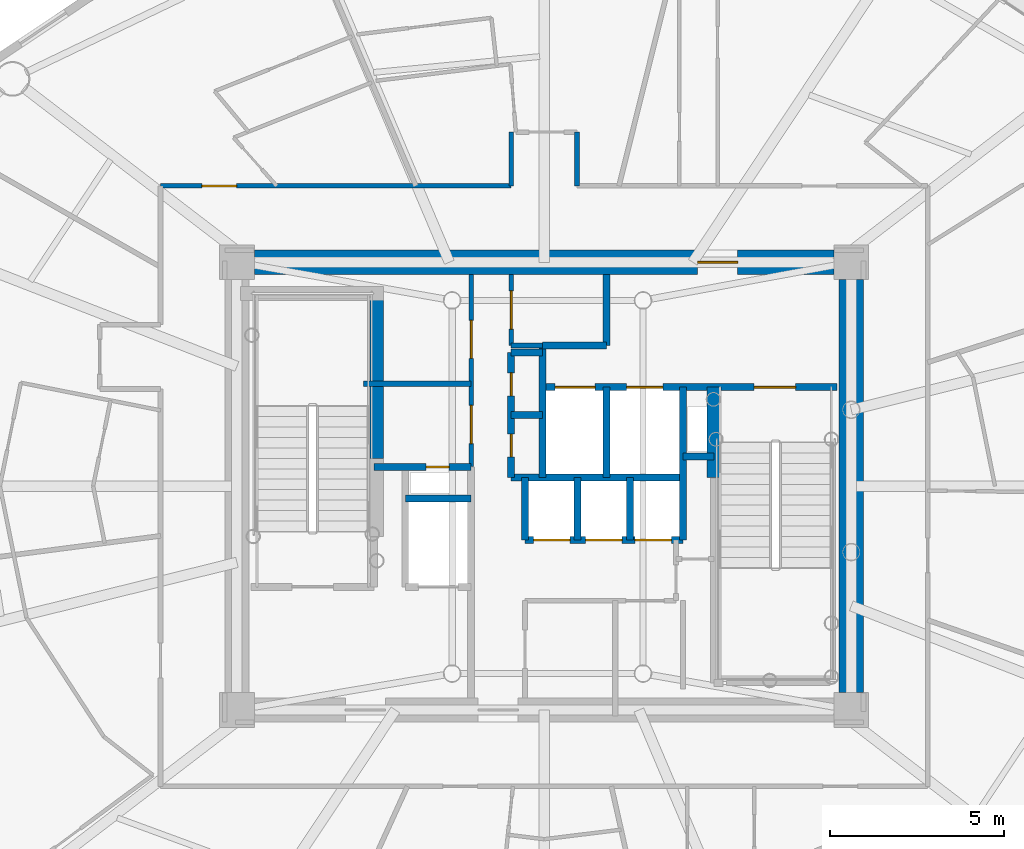
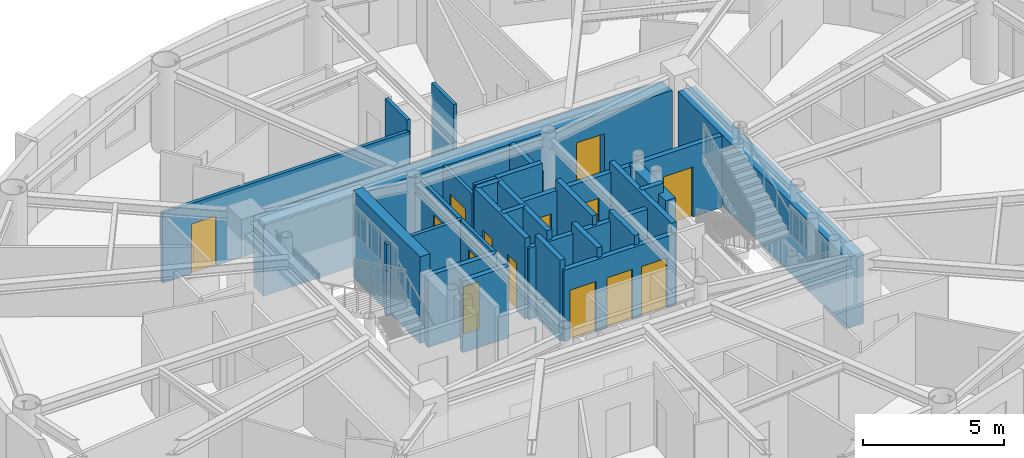
# One storey, part 7 of 17: 28 walls, 14 doors, 14 openings.
"""IFC4 building model written with IfcOpenShell, lengths in metres."""

from ifc_helpers import new_model, si_unit, direction, frame, frame_2d, origin, origin_2d, place, context, subcontext, project, spatial, rectangle, extrude, source, transform, mapped, material, layer, layer_set, type_object, element, fill, save


model = new_model("IFC4")

# Units and contexts
model_context = context("Model", 3, precision=1e-05, world=origin(), true_north=direction((0.0, 1.0)))
body_context = subcontext(model_context, "Body", "Model", "MODEL_VIEW")
ifc_project = project(units=[si_unit("LENGTHUNIT", "METRE"), si_unit("AREAUNIT", "SQUARE_METRE"), si_unit("VOLUMEUNIT", "CUBIC_METRE"), si_unit("PLANEANGLEUNIT", "RADIAN"), si_unit("MASSUNIT", "GRAM", prefix="KILO")], contexts=[model_context])

# Site, building, storey
site_placement = place(None, origin())
site = spatial("IfcSite", under=ifc_project, at=site_placement, CompositionType="ELEMENT")
building_placement = place(site_placement, origin())
building = spatial("IfcBuilding", under=site, at=building_placement, Name="Linh Dai School and Residence Tower", CompositionType="ELEMENT")
storey_placement = place(building_placement, frame((0.0, 0.0, 303.0)))
storey = spatial("IfcBuildingStorey", under=building, at=storey_placement, Name="L75", CompositionType="ELEMENT", Elevation=303.0)

# Wall, opening, door
ifc_material_1 = material(Name="Autoclaved Aerated Concrete Blockwork", Category="masonry")
ifc_layer_1 = layer(ifc_material_1, 0.135009765625)
ifc_layer_set_1 = layer_set([ifc_layer_1], Name="Autoclaved Aerated Concrete Blockwork")
wall_type_1 = type_object("IfcWallType", Name="IW-CORR-135-EI90", PredefinedType="PARTITIONING", material=ifc_layer_set_1)
wall_1_placement = place(storey_placement, frame((24.949951171875, 35.64990234375, 0.0), z_axis=(0.0, 0.0, 1.0), x_axis=(1.0, 0.0, 0.0)))
wall_1 = element("IfcWall", 1, at=wall_1_placement, inside=storey, type_object=wall_type_1, Name="L75 Interior Partition Wall 019", PredefinedType="PARTITIONING", context=body_context, shape_type="SweptSolid", body=[
    extrude(rectangle(XDim=10.10009765625, YDim=0.135009765625, at=frame_2d((5.050048828125, 0.0))), origin(), (0.0, 0.0, 1.0), 3.034912109375),
])
opening_1_placement = place(wall_1_placement, frame((1.192138671875, 0.0, 0.0)))
opening_1 = element("IfcOpeningElement", 2, at=opening_1_placement, cuts=wall_1, Name="Opening D03", PredefinedType="OPENING", context=body_context, shape_type="SweptSolid", body=[
    extrude(rectangle(XDim=1.0, YDim=2.14990234375, at=origin_2d()), frame((0.5, 0.07763671875, 1.074951171875), z_axis=(0.0, -1.0, 0.0), x_axis=(1.0, 0.0, 0.0)), (0.0, 0.0, 1.0), 0.155029296875),
])
ifc_material_2 = material(Name="Fire-Rated Solid Timber Entrance Door", Category="wood")
door_type_1 = type_object("IfcDoorType", Name="DR-FLAT-1000x2150-FD60S", OperationType="NOTDEFINED", PredefinedType="DOOR", material=ifc_material_2)
shared_shape_1 = source(origin(), body_context, "Body", "SweptSolid", [
    extrude(rectangle(XDim=1.0, YDim=2.14990234375, at=origin_2d()), frame((0.5, 0.02490234375, 1.074951171875), z_axis=(0.0, -1.0, 0.0), x_axis=(1.0, 0.0, 0.0)), (0.0, 0.0, 1.0), 0.050048828125),
])
door_1_placement = place(opening_1_placement, origin())
door_1 = element("IfcDoor", 3, at=door_1_placement, inside=storey, type_object=door_type_1, Name="L75 U7502 Apartment Entrance Door", OperationType="SINGLE_SWING_RIGHT", OverallHeight=2.14990234375, OverallWidth=1.0, PredefinedType="DOOR", context=body_context, shape_type="MappedRepresentation", body=[
    mapped(shared_shape_1, transform((0.0, 0.0, 0.0), x_axis=(1.0, 0.0, 0.0), y_axis=(0.0, 1.0, 0.0), z_axis=(0.0, 0.0, 1.0), scale=1.0)),
])
fill(opening_1, door_1)

# Wall, openings, doors
wall_2_placement = place(storey_placement, frame((33.89990234375, 27.56005859375, 0.0), z_axis=(0.0, 0.0, 1.0), x_axis=(0.0, 1.0, 0.0)))
wall_2 = element("IfcWall", 4, at=wall_2_placement, inside=storey, type_object=wall_type_1, Name="L75 Interior Partition Wall 036", PredefinedType="PARTITIONING", context=body_context, shape_type="SweptSolid", body=[
    extrude(rectangle(XDim=5.5400390625, YDim=0.135009765625, at=frame_2d((2.77001953125, 0.0))), origin(), (0.0, 0.0, 1.0), 3.0849609375),
])
opening_2_placement = place(wall_2_placement, frame((0.6650390625, 0.0, 0.0)))
opening_2 = element("IfcOpeningElement", 5, at=opening_2_placement, cuts=wall_2, Name="Opening D07", PredefinedType="OPENING", context=body_context, shape_type="SweptSolid", body=[
    extrude(rectangle(XDim=1.10009765625, YDim=2.14990234375, at=origin_2d()), frame((0.550048828125, 0.07763671875, 1.074951171875), z_axis=(0.0, -1.0, 0.0), x_axis=(1.0, 0.0, 0.0)), (0.0, 0.0, 1.0), 0.155029296875),
])
opening_3_placement = place(wall_2_placement, frame((3.117431640625, 0.0, 0.0)))
opening_3 = element("IfcOpeningElement", 6, at=opening_3_placement, cuts=wall_2, Name="Opening D07", PredefinedType="OPENING", context=body_context, shape_type="SweptSolid", body=[
    extrude(rectangle(XDim=1.10009765625, YDim=2.14990234375, at=origin_2d()), frame((0.550048828125, 0.07763671875, 1.074951171875), z_axis=(0.0, -1.0, 0.0), x_axis=(1.0, 0.0, 0.0)), (0.0, 0.0, 1.0), 0.155029296875),
])
ifc_material_3 = material(Name="Fire-Rated Louvred Steel Plant Door", Category="steel")
door_type_2 = type_object("IfcDoorType", Name="DR-PLT-1100x2150-FD60S", OperationType="NOTDEFINED", PredefinedType="DOOR", material=ifc_material_3)
shared_shape_2 = source(origin(), body_context, "Body", "SweptSolid", [
    extrude(rectangle(XDim=1.10009765625, YDim=2.14990234375, at=origin_2d()), frame((0.550048828125, 0.02490234375, 1.074951171875), z_axis=(0.0, -1.0, 0.0), x_axis=(1.0, 0.0, 0.0)), (0.0, 0.0, 1.0), 0.050048828125),
])
door_2_placement = place(opening_2_placement, origin())
door_2 = element("IfcDoor", 7, at=door_2_placement, inside=storey, type_object=door_type_2, Name="L75 BMS and Data Room Door", OperationType="SINGLE_SWING_LEFT", OverallHeight=2.14990234375, OverallWidth=1.10009765625, PredefinedType="DOOR", context=body_context, shape_type="MappedRepresentation", body=[
    mapped(shared_shape_2, transform((0.0, 0.0, 0.0), x_axis=(1.0, 0.0, 0.0), y_axis=(0.0, 1.0, 0.0), z_axis=(0.0, 0.0, 1.0), scale=1.0)),
])
fill(opening_2, door_2)
door_3_placement = place(opening_3_placement, origin())
door_3 = element("IfcDoor", 8, at=door_3_placement, inside=storey, type_object=door_type_2, Name="L75 Housekeeping Linen Room Door", OperationType="SINGLE_SWING_RIGHT", OverallHeight=2.14990234375, OverallWidth=1.10009765625, PredefinedType="DOOR", context=body_context, shape_type="MappedRepresentation", body=[
    mapped(shared_shape_2, transform((0.0, 0.0, 0.0), x_axis=(1.0, 0.0, 0.0), y_axis=(0.0, 1.0, 0.0), z_axis=(0.0, 0.0, 1.0), scale=1.0)),
])
fill(opening_3, door_3)

# Wall, opening, door
wall_3_placement = place(storey_placement, frame((35.050048828125, 31.050048828125, 0.0), z_axis=(0.0, 0.0, 1.0), x_axis=(0.0, 1.0, 0.0)))
wall_3 = element("IfcWall", 9, at=wall_3_placement, inside=storey, type_object=wall_type_1, Name="L75 Interior Partition Wall 046", PredefinedType="PARTITIONING", context=body_context, shape_type="SweptSolid", body=[
    extrude(rectangle(XDim=2.050048828125, YDim=0.135009765625, at=frame_2d((1.02490234375, 0.0))), origin(), (0.0, 0.0, 1.0), 3.0849609375),
])
opening_4_placement = place(wall_3_placement, frame((0.47509765625, 0.0, 0.0)))
opening_4 = element("IfcOpeningElement", 10, at=opening_4_placement, cuts=wall_3, Name="Opening D07", PredefinedType="OPENING", context=body_context, shape_type="SweptSolid", body=[
    extrude(rectangle(XDim=1.10009765625, YDim=2.14990234375, at=origin_2d()), frame((0.550048828125, 0.07763671875, 1.074951171875), z_axis=(0.0, -1.0, 0.0), x_axis=(1.0, 0.0, 0.0)), (0.0, 0.0, 1.0), 0.155029296875),
])
door_4_placement = place(opening_4_placement, origin())
door_4 = element("IfcDoor", 11, at=door_4_placement, inside=storey, type_object=door_type_2, Name="L75 North Telecom Switchroom Door", OperationType="SINGLE_SWING_LEFT", OverallHeight=2.14990234375, OverallWidth=1.10009765625, PredefinedType="DOOR", context=body_context, shape_type="MappedRepresentation", body=[
    mapped(shared_shape_2, transform((0.0, 0.0, 0.0), x_axis=(1.0, 0.0, 0.0), y_axis=(0.0, 1.0, 0.0), z_axis=(0.0, 0.0, 1.0), scale=1.0)),
])
fill(opening_4, door_4)

# Walls
wall_4_placement = place(storey_placement, frame((35.050048828125, 31.050048828125, 0.0), z_axis=(0.0, 0.0, 1.0), x_axis=(1.0, 0.0, 0.0)))
element("IfcWall", 12, at=wall_4_placement, inside=storey, type_object=wall_type_1, Name="L75 Interior Partition Wall 047", PredefinedType="PARTITIONING", context=body_context, shape_type="SweptSolid", body=[
    extrude(rectangle(XDim=0.89990234375, YDim=0.135009765625, at=frame_2d((0.449951171875, 0.0))), origin(), (0.0, 0.0, 1.0), 3.5),
])
for number, where, z_axis, x_axis, name in (
    (13, (35.050048828125, 35.64990234375, 0.0), (0.0, 0.0, 1.0), (0.0, 1.0, 0.0), "L75 Interior Partition Wall 048"),
    (14, (36.949951171875, 35.64990234375, 0.0), (0.0, 0.0, 1.0), (0.0, 1.0, 0.0), "L75 Interior Partition Wall 059"),
):
    element("IfcWall", number, at=place(storey_placement, frame(where, z_axis=z_axis, x_axis=x_axis)), inside=storey, type_object=wall_type_1, Name=name, PredefinedType="PARTITIONING", context=body_context, shape_type="SweptSolid", body=[
        extrude(rectangle(XDim=1.550048828125, YDim=0.135009765625, at=frame_2d((0.77490234375, 0.0))), origin(), (0.0, 0.0, 1.0), 3.5),
    ])
ifc_layer_2 = layer(ifc_material_1, 0.14990234375)
ifc_layer_set_2 = layer_set([ifc_layer_2], Name="Autoclaved Aerated Concrete Blockwork")
wall_type_2 = type_object("IfcWallType", Name="IW-SCH-150-EI60", PredefinedType="PARTITIONING", material=ifc_layer_set_2)
wall_5_placement = place(storey_placement, frame((30.800048828125, 29.949951171875, 0.0), z_axis=(0.0, 0.0, 1.0), x_axis=(1.0, 0.0, 0.0)))
element("IfcWall", 15, at=wall_5_placement, inside=storey, type_object=wall_type_2, Name="L75 Interior Partition Wall 028", PredefinedType="PARTITIONING", context=body_context, shape_type="SweptSolid", body=[
    extrude(rectangle(XDim=3.099853515625, YDim=0.14990234375, at=frame_2d((1.5498046875, 0.0))), origin(), (0.0, 0.0, 1.0), 3.0849609375),
])

# Wall, opening, door
ifc_material_4 = material(Name="Concrete B45 (C35/45)", Category="concrete")
ifc_layer_3 = layer(ifc_material_4, 0.199951171875)
ifc_layer_set_3 = layer_set([ifc_layer_3], Name="Concrete B45 (C35/45)")
wall_type_3 = type_object("IfcWallType", Name="IW-SHAFT-200-EI120", PredefinedType="PARTITIONING", material=ifc_layer_set_3)
wall_6_placement = place(storey_placement, frame((31.10009765625, 27.550048828125, 0.0), z_axis=(0.0, 0.0, 1.0), x_axis=(1.0, 0.0, 0.0)))
wall_6 = element("IfcWall", 16, at=wall_6_placement, inside=storey, type_object=wall_type_3, Name="L75 Interior Partition Wall 030", PredefinedType="PARTITIONING", context=body_context, shape_type="SweptSolid", body=[
    extrude(rectangle(XDim=2.7998046875, YDim=0.199951171875, at=frame_2d((1.39990234375, 0.0))), origin(), (0.0, 0.0, 1.0), 3.0849609375),
])
opening_5_placement = place(wall_6_placement, frame((1.5, 0.0, 0.0)))
opening_5 = element("IfcOpeningElement", 17, at=opening_5_placement, cuts=wall_6, Name="Opening AD1", PredefinedType="OPENING", context=body_context, shape_type="SweptSolid", body=[
    extrude(rectangle(XDim=0.659912109375, YDim=2.050048828125, at=origin_2d()), frame((0.330078125, 0.10986328125, 1.02490234375), z_axis=(0.0, -1.0, 0.0), x_axis=(1.0, 0.0, 0.0)), (0.0, 0.0, 1.0), 0.219970703125),
])
ifc_material_5 = material(Name="Fire-Rated Steel Riser Access Door", Category="steel")
door_type_3 = type_object("IfcDoorType", Name="DR-ACC-660x2050-FD90S", OperationType="NOTDEFINED", PredefinedType="USERDEFINED", material=ifc_material_5)
shared_shape_3 = source(origin(), body_context, "Body", "SweptSolid", [
    extrude(rectangle(XDim=0.659912109375, YDim=2.050048828125, at=origin_2d()), frame((0.330078125, 0.02490234375, 1.02490234375), z_axis=(0.0, -1.0, 0.0), x_axis=(1.0, 0.0, 0.0)), (0.0, 0.0, 1.0), 0.050048828125),
])
door_5_placement = place(opening_5_placement, origin())
door_5 = element("IfcDoor", 18, at=door_5_placement, inside=storey, type_object=door_type_3, Name="L75 Main Electrical Riser Access Door", ObjectType="ACCESS DOOR", OperationType="SINGLE_SWING_RIGHT", OverallHeight=2.050048828125, OverallWidth=0.659912109375, PredefinedType="USERDEFINED", context=body_context, shape_type="MappedRepresentation", body=[
    mapped(shared_shape_3, transform((0.0, 0.0, 0.0), x_axis=(1.0, 0.0, 0.0), y_axis=(0.0, 1.0, 0.0), z_axis=(0.0, 0.0, 1.0), scale=1.0)),
])
fill(opening_5, door_5)

# Wall
wall_7_placement = place(storey_placement, frame((32.0, 26.64990234375, 0.0), z_axis=(0.0, 0.0, 1.0), x_axis=(1.0, 0.0, 0.0)))
element("IfcWall", 19, at=wall_7_placement, inside=storey, type_object=wall_type_3, Name="L75 Interior Partition Wall 034", PredefinedType="PARTITIONING", context=body_context, shape_type="SweptSolid", body=[
    extrude(rectangle(XDim=1.89990234375, YDim=0.199951171875, at=frame_2d((0.949951171875, 0.0))), origin(), (0.0, 0.0, 1.0), 3.0849609375),
])

# Wall, openings, doors
wall_8_placement = place(storey_placement, frame((35.050048828125, 27.25, 0.0), z_axis=(0.0, 0.0, 1.0), x_axis=(0.0, 1.0, 0.0)))
wall_8 = element("IfcWall", 20, at=wall_8_placement, inside=storey, type_object=wall_type_3, Name="L75 Interior Partition Wall 042", PredefinedType="PARTITIONING", context=body_context, shape_type="SweptSolid", body=[
    extrude(rectangle(XDim=3.60009765625, YDim=0.199951171875, at=frame_2d((1.800048828125, 0.0))), origin(), (0.0, 0.0, 1.0), 3.5),
])
opening_6_placement = place(wall_8_placement, frame((0.590087890625, 0.0, 0.0)))
opening_6 = element("IfcOpeningElement", 21, at=opening_6_placement, cuts=wall_8, Name="Opening AD1", PredefinedType="OPENING", context=body_context, shape_type="SweptSolid", body=[
    extrude(rectangle(XDim=0.659912109375, YDim=2.050048828125, at=origin_2d()), frame((0.330078125, 0.10986328125, 1.02490234375), z_axis=(0.0, -1.0, 0.0), x_axis=(1.0, 0.0, 0.0)), (0.0, 0.0, 1.0), 0.219970703125),
])
opening_7_placement = place(wall_8_placement, frame((2.35009765625, 0.0, 0.0)))
opening_7 = element("IfcOpeningElement", 22, at=opening_7_placement, cuts=wall_8, Name="Opening AD1", PredefinedType="OPENING", context=body_context, shape_type="SweptSolid", body=[
    extrude(rectangle(XDim=0.659912109375, YDim=2.050048828125, at=origin_2d()), frame((0.330078125, 0.10986328125, 1.02490234375), z_axis=(0.0, -1.0, 0.0), x_axis=(1.0, 0.0, 0.0)), (0.0, 0.0, 1.0), 0.219970703125),
])
door_6_placement = place(opening_6_placement, origin())
door_6 = element("IfcDoor", 23, at=door_6_placement, inside=storey, type_object=door_type_3, Name="L75 Telecom and Data Riser Access Door", ObjectType="ACCESS DOOR", OperationType="SINGLE_SWING_LEFT", OverallHeight=2.050048828125, OverallWidth=0.659912109375, PredefinedType="USERDEFINED", context=body_context, shape_type="MappedRepresentation", body=[
    mapped(shared_shape_3, transform((0.0, 0.0, 0.0), x_axis=(1.0, 0.0, 0.0), y_axis=(0.0, 1.0, 0.0), z_axis=(0.0, 0.0, 1.0), scale=1.0)),
])
fill(opening_6, door_6)
door_7_placement = place(opening_7_placement, origin())
door_7 = element("IfcDoor", 24, at=door_7_placement, inside=storey, type_object=door_type_3, Name="L75 Mechanical and Plumbing Riser Access Door", ObjectType="ACCESS DOOR", OperationType="SINGLE_SWING_RIGHT", OverallHeight=2.050048828125, OverallWidth=0.659912109375, PredefinedType="USERDEFINED", context=body_context, shape_type="MappedRepresentation", body=[
    mapped(shared_shape_3, transform((0.0, 0.0, 0.0), x_axis=(1.0, 0.0, 0.0), y_axis=(0.0, 1.0, 0.0), z_axis=(0.0, 0.0, 1.0), scale=1.0)),
])
fill(opening_7, door_7)

# Walls
wall_9_placement = place(storey_placement, frame((35.050048828125, 27.25, 0.0), z_axis=(0.0, 0.0, 1.0), x_axis=(1.0, 0.0, 0.0)))
element("IfcWall", 25, at=wall_9_placement, inside=storey, type_object=wall_type_3, Name="L75 Interior Partition Wall 043", PredefinedType="PARTITIONING", context=body_context, shape_type="SweptSolid", body=[
    extrude(rectangle(XDim=4.949951171875, YDim=0.199951171875, at=frame_2d((2.47509765625, 0.0))), origin(), (0.0, 0.0, 1.0), 3.0849609375),
])
for number, where, z_axis, x_axis, name in (
    (26, (35.050048828125, 29.050048828125, 0.0), (0.0, 0.0, 1.0), (1.0, 0.0, 0.0), "L75 Interior Partition Wall 044"),
    (27, (35.050048828125, 30.85009765625, 0.0), (0.0, 0.0, 1.0), (1.0, 0.0, 0.0), "L75 Interior Partition Wall 045"),
):
    element("IfcWall", number, at=place(storey_placement, frame(where, z_axis=z_axis, x_axis=x_axis)), inside=storey, type_object=wall_type_3, Name=name, PredefinedType="PARTITIONING", context=body_context, shape_type="SweptSolid", body=[
        extrude(rectangle(XDim=0.89990234375, YDim=0.199951171875, at=frame_2d((0.449951171875, 0.0))), origin(), (0.0, 0.0, 1.0), 3.5),
    ])
wall_10_placement = place(storey_placement, frame((35.449951171875, 25.449951171875, 0.0), z_axis=(0.0, 0.0, 1.0), x_axis=(0.0, 1.0, 0.0)))
element("IfcWall", 28, at=wall_10_placement, inside=storey, type_object=wall_type_3, Name="L75 Interior Partition Wall 052", PredefinedType="PARTITIONING", context=body_context, shape_type="SweptSolid", body=[
    extrude(rectangle(XDim=1.800048828125, YDim=0.199951171875, at=frame_2d((0.89990234375, 0.0))), origin(), (0.0, 0.0, 1.0), 3.5),
])

# Wall, openings, doors
wall_11_placement = place(storey_placement, frame((35.449951171875, 25.449951171875, 0.0), z_axis=(0.0, 0.0, 1.0), x_axis=(1.0, 0.0, 0.0)))
wall_11 = element("IfcWall", 29, at=wall_11_placement, inside=storey, type_object=wall_type_3, Name="L75 Interior Partition Wall 053", PredefinedType="PARTITIONING", context=body_context, shape_type="SweptSolid", body=[
    extrude(rectangle(XDim=4.550048828125, YDim=0.199951171875, at=frame_2d((2.27490234375, 0.0))), origin(), (0.0, 0.0, 1.0), 3.0849609375),
])
opening_8_placement = place(wall_11_placement, frame((0.25, 0.0, 0.0)))
opening_8 = element("IfcOpeningElement", 30, at=opening_8_placement, cuts=wall_11, Name="Opening LD-PL7", PredefinedType="OPENING", context=body_context, shape_type="SweptSolid", body=[
    extrude(rectangle(XDim=1.050048828125, YDim=2.14990234375, at=origin_2d()), frame((0.52490234375, 0.10986328125, 1.074951171875), z_axis=(0.0, -1.0, 0.0), x_axis=(1.0, 0.0, 0.0)), (0.0, 0.0, 1.0), 0.219970703125),
])
opening_9_placement = place(wall_11_placement, frame((1.7451171875, 0.0, 0.0)))
opening_9 = element("IfcOpeningElement", 31, at=opening_9_placement, cuts=wall_11, Name="Opening LD-PL8", PredefinedType="OPENING", context=body_context, shape_type="SweptSolid", body=[
    extrude(rectangle(XDim=1.050048828125, YDim=2.14990234375, at=origin_2d()), frame((0.52490234375, 0.10986328125, 1.074951171875), z_axis=(0.0, -1.0, 0.0), x_axis=(1.0, 0.0, 0.0)), (0.0, 0.0, 1.0), 0.219970703125),
])
opening_10_placement = place(wall_11_placement, frame((3.1650390625, 0.0, 0.0)))
opening_10 = element("IfcOpeningElement", 32, at=opening_10_placement, cuts=wall_11, Name="Opening LD-PL9", PredefinedType="OPENING", context=body_context, shape_type="SweptSolid", body=[
    extrude(rectangle(XDim=1.050048828125, YDim=2.14990234375, at=origin_2d()), frame((0.52490234375, 0.10986328125, 1.074951171875), z_axis=(0.0, -1.0, 0.0), x_axis=(1.0, 0.0, 0.0)), (0.0, 0.0, 1.0), 0.219970703125),
])
ifc_material_6 = material(Name="Brushed Stainless Steel Lift Landing Door", Category="steel")
door_type_4 = type_object("IfcDoorType", Name="DR-LD-PASS-1050x2150", OperationType="DOUBLE_DOOR_SLIDING", PredefinedType="USERDEFINED", material=ifc_material_6)
shared_shape_4 = source(origin(), body_context, "Body", "SweptSolid", [
    extrude(rectangle(XDim=1.050048828125, YDim=2.14990234375, at=origin_2d()), frame((0.52490234375, 0.02490234375, 1.074951171875), z_axis=(0.0, -1.0, 0.0), x_axis=(1.0, 0.0, 0.0)), (0.0, 0.0, 1.0), 0.050048828125),
])
door_8_placement = place(opening_8_placement, origin())
door_8 = element("IfcDoor", 33, at=door_8_placement, inside=storey, type_object=door_type_4, Name="L75 Lift PL7 Sliding Landing Door", ObjectType="LANDING DOOR", OperationType="DOUBLE_DOOR_SLIDING", OverallHeight=2.14990234375, OverallWidth=1.050048828125, PredefinedType="USERDEFINED", context=body_context, shape_type="MappedRepresentation", body=[
    mapped(shared_shape_4, transform((0.0, 0.0, 0.0), x_axis=(1.0, 0.0, 0.0), y_axis=(0.0, 1.0, 0.0), z_axis=(0.0, 0.0, 1.0), scale=1.0)),
])
fill(opening_8, door_8)
door_9_placement = place(opening_9_placement, origin())
door_9 = element("IfcDoor", 34, at=door_9_placement, inside=storey, type_object=door_type_4, Name="L75 Lift PL8 Sliding Landing Door", ObjectType="LANDING DOOR", OperationType="DOUBLE_DOOR_SLIDING", OverallHeight=2.14990234375, OverallWidth=1.050048828125, PredefinedType="USERDEFINED", context=body_context, shape_type="MappedRepresentation", body=[
    mapped(shared_shape_4, transform((0.0, 0.0, 0.0), x_axis=(1.0, 0.0, 0.0), y_axis=(0.0, 1.0, 0.0), z_axis=(0.0, 0.0, 1.0), scale=1.0)),
])
fill(opening_9, door_9)
door_10_placement = place(opening_10_placement, origin())
door_10 = element("IfcDoor", 35, at=door_10_placement, inside=storey, type_object=door_type_4, Name="L75 Lift PL9 Sliding Landing Door", ObjectType="LANDING DOOR", OperationType="DOUBLE_DOOR_SLIDING", OverallHeight=2.14990234375, OverallWidth=1.050048828125, PredefinedType="USERDEFINED", context=body_context, shape_type="MappedRepresentation", body=[
    mapped(shared_shape_4, transform((0.0, 0.0, 0.0), x_axis=(1.0, 0.0, 0.0), y_axis=(0.0, 1.0, 0.0), z_axis=(0.0, 0.0, 1.0), scale=1.0)),
])
fill(opening_10, door_10)

# Wall
wall_12_placement = place(storey_placement, frame((35.949951171875, 27.25, 0.0), z_axis=(0.0, 0.0, 1.0), x_axis=(0.0, 1.0, 0.0)))
element("IfcWall", 36, at=wall_12_placement, inside=storey, type_object=wall_type_3, Name="L75 Interior Partition Wall 054", PredefinedType="PARTITIONING", context=body_context, shape_type="SweptSolid", body=[
    extrude(rectangle(XDim=3.800048828125, YDim=0.199951171875, at=frame_2d((1.89990234375, 0.0))), origin(), (0.0, 0.0, 1.0), 3.5),
])

# Wall, openings, doors
wall_13_placement = place(storey_placement, frame((35.949951171875, 29.85009765625, 0.0), z_axis=(0.0, 0.0, 1.0), x_axis=(1.0, 0.0, 0.0)))
wall_13 = element("IfcWall", 37, at=wall_13_placement, inside=storey, type_object=wall_type_3, Name="L75 Interior Partition Wall 055", PredefinedType="PARTITIONING", context=body_context, shape_type="SweptSolid", body=[
    extrude(rectangle(XDim=8.489990234375, YDim=0.199951171875, at=frame_2d((4.2451171875, 0.0))), origin(), (0.0, 0.0, 1.0), 3.0849609375),
])
opening_11_placement = place(wall_13_placement, frame((6.10009765625, 0.0, 0.0)))
opening_11 = element("IfcOpeningElement", 38, at=opening_11_placement, cuts=wall_13, Name="Opening D01", PredefinedType="OPENING", context=body_context, shape_type="SweptSolid", body=[
    extrude(rectangle(XDim=1.199951171875, YDim=2.14990234375, at=origin_2d()), frame((0.60009765625, 0.10986328125, 1.074951171875), z_axis=(0.0, -1.0, 0.0), x_axis=(1.0, 0.0, 0.0)), (0.0, 0.0, 1.0), 0.219970703125),
])
opening_12_placement = place(wall_13_placement, frame((0.3701171875, 0.0, 0.0)))
opening_12 = element("IfcOpeningElement", 39, at=opening_12_placement, cuts=wall_13, Name="Opening LD-FF1", PredefinedType="OPENING", context=body_context, shape_type="SweptSolid", body=[
    extrude(rectangle(XDim=1.14990234375, YDim=2.14990234375, at=origin_2d()), frame((0.574951171875, 0.10986328125, 1.074951171875), z_axis=(0.0, -1.0, 0.0), x_axis=(1.0, 0.0, 0.0)), (0.0, 0.0, 1.0), 0.219970703125),
])
opening_13_placement = place(wall_13_placement, frame((2.425048828125, 0.0, 0.0)))
opening_13 = element("IfcOpeningElement", 40, at=opening_13_placement, cuts=wall_13, Name="Opening LD-SV1", PredefinedType="OPENING", context=body_context, shape_type="SweptSolid", body=[
    extrude(rectangle(XDim=1.050048828125, YDim=2.14990234375, at=origin_2d()), frame((0.52490234375, 0.10986328125, 1.074951171875), z_axis=(0.0, -1.0, 0.0), x_axis=(1.0, 0.0, 0.0)), (0.0, 0.0, 1.0), 0.219970703125),
])
ifc_material_7 = material(Name="Fire-Rated Steel Door Leaf", Category="steel")
door_type_5 = type_object("IfcDoorType", Name="DR-STAIR-1200x2150-FD90S", OperationType="NOTDEFINED", PredefinedType="DOOR", material=ifc_material_7)
shared_shape_5 = source(origin(), body_context, "Body", "SweptSolid", [
    extrude(rectangle(XDim=1.199951171875, YDim=2.14990234375, at=origin_2d()), frame((0.60009765625, 0.02490234375, 1.074951171875), z_axis=(0.0, -1.0, 0.0), x_axis=(1.0, 0.0, 0.0)), (0.0, 0.0, 1.0), 0.050048828125),
])
door_11_placement = place(opening_11_placement, origin())
door_11 = element("IfcDoor", 41, at=door_11_placement, inside=storey, type_object=door_type_5, Name="L75 Core Smokeproof Exit Stair ST2 Door", OperationType="SINGLE_SWING_RIGHT", OverallHeight=2.14990234375, OverallWidth=1.199951171875, PredefinedType="DOOR", context=body_context, shape_type="MappedRepresentation", body=[
    mapped(shared_shape_5, transform((0.0, 0.0, 0.0), x_axis=(1.0, 0.0, 0.0), y_axis=(0.0, 1.0, 0.0), z_axis=(0.0, 0.0, 1.0), scale=1.0)),
])
fill(opening_11, door_11)
ifc_material_8 = material(Name="Fire-Rated Stainless Steel Firefighting Lift Door", Category="steel")
door_type_6 = type_object("IfcDoorType", Name="DR-LD-FF-1150x2150-FD120", OperationType="DOUBLE_DOOR_SLIDING", PredefinedType="USERDEFINED", material=ifc_material_8)
shared_shape_6 = source(origin(), body_context, "Body", "SweptSolid", [
    extrude(rectangle(XDim=1.14990234375, YDim=2.14990234375, at=origin_2d()), frame((0.574951171875, 0.02490234375, 1.074951171875), z_axis=(0.0, -1.0, 0.0), x_axis=(1.0, 0.0, 0.0)), (0.0, 0.0, 1.0), 0.050048828125),
])
door_12_placement = place(opening_12_placement, origin())
door_12 = element("IfcDoor", 42, at=door_12_placement, inside=storey, type_object=door_type_6, Name="L75 Lift FF1 Sliding Landing Door", ObjectType="LANDING DOOR", OperationType="DOUBLE_DOOR_SLIDING", OverallHeight=2.14990234375, OverallWidth=1.14990234375, PredefinedType="USERDEFINED", context=body_context, shape_type="MappedRepresentation", body=[
    mapped(shared_shape_6, transform((0.0, 0.0, 0.0), x_axis=(1.0, 0.0, 0.0), y_axis=(0.0, 1.0, 0.0), z_axis=(0.0, 0.0, 1.0), scale=1.0)),
])
fill(opening_12, door_12)
door_13_placement = place(opening_13_placement, origin())
door_13 = element("IfcDoor", 43, at=door_13_placement, inside=storey, type_object=door_type_4, Name="L75 Lift SV1 Sliding Landing Door", ObjectType="LANDING DOOR", OperationType="DOUBLE_DOOR_SLIDING", OverallHeight=2.14990234375, OverallWidth=1.050048828125, PredefinedType="USERDEFINED", context=body_context, shape_type="MappedRepresentation", body=[
    mapped(shared_shape_4, transform((0.0, 0.0, 0.0), x_axis=(1.0, 0.0, 0.0), y_axis=(0.0, 1.0, 0.0), z_axis=(0.0, 0.0, 1.0), scale=1.0)),
])
fill(opening_13, door_13)

# Walls
wall_14_placement = place(storey_placement, frame((35.9599609375, 31.050048828125, 0.0), z_axis=(0.0, 0.0, 1.0), x_axis=(1.0, 0.0, 0.0)))
element("IfcWall", 44, at=wall_14_placement, inside=storey, type_object=wall_type_3, Name="L75 Interior Partition Wall 056", PredefinedType="PARTITIONING", context=body_context, shape_type="SweptSolid", body=[
    extrude(rectangle(XDim=1.840087890625, YDim=0.199951171875, at=frame_2d((0.919921875, 0.0))), origin(), (0.0, 0.0, 1.0), 3.5),
])
wall_15_placement = place(storey_placement, frame((36.9599609375, 25.449951171875, 0.0), z_axis=(0.0, 0.0, 1.0), x_axis=(0.0, 1.0, 0.0)))
element("IfcWall", 45, at=wall_15_placement, inside=storey, type_object=wall_type_3, Name="L75 Interior Partition Wall 061", PredefinedType="PARTITIONING", context=body_context, shape_type="SweptSolid", body=[
    extrude(rectangle(XDim=1.800048828125, YDim=0.199951171875, at=frame_2d((0.89990234375, 0.0))), origin(), (0.0, 0.0, 1.0), 3.5),
])
wall_16_placement = place(storey_placement, frame((37.800048828125, 27.25, 0.0), z_axis=(0.0, 0.0, 1.0), x_axis=(0.0, 1.0, 0.0)))
element("IfcWall", 46, at=wall_16_placement, inside=storey, type_object=wall_type_3, Name="L75 Interior Partition Wall 062", PredefinedType="PARTITIONING", context=body_context, shape_type="SweptSolid", body=[
    extrude(rectangle(XDim=2.60009765625, YDim=0.199951171875, at=frame_2d((1.300048828125, 0.0))), origin(), (0.0, 0.0, 1.0), 3.5),
])
wall_17_placement = place(storey_placement, frame((37.800048828125, 31.050048828125, 0.0), z_axis=(0.0, 0.0, 1.0), x_axis=(0.0, 1.0, 0.0)))
element("IfcWall", 47, at=wall_17_placement, inside=storey, type_object=wall_type_3, Name="L75 Interior Partition Wall 063", PredefinedType="PARTITIONING", context=body_context, shape_type="SweptSolid", body=[
    extrude(rectangle(XDim=2.050048828125, YDim=0.199951171875, at=frame_2d((1.02490234375, 0.0))), origin(), (0.0, 0.0, 1.0), 3.0849609375),
])
wall_18_placement = place(storey_placement, frame((38.47998046875, 25.449951171875, 0.0), z_axis=(0.0, 0.0, 1.0), x_axis=(0.0, 1.0, 0.0)))
element("IfcWall", 48, at=wall_18_placement, inside=storey, type_object=wall_type_3, Name="L75 Interior Partition Wall 067", PredefinedType="PARTITIONING", context=body_context, shape_type="SweptSolid", body=[
    extrude(rectangle(XDim=1.800048828125, YDim=0.199951171875, at=frame_2d((0.89990234375, 0.0))), origin(), (0.0, 0.0, 1.0), 3.5),
])
wall_19_placement = place(storey_placement, frame((40.0, 25.449951171875, 0.0), z_axis=(0.0, 0.0, 1.0), x_axis=(0.0, 1.0, 0.0)))
element("IfcWall", 49, at=wall_19_placement, inside=storey, type_object=wall_type_3, Name="L75 Interior Partition Wall 072", PredefinedType="PARTITIONING", context=body_context, shape_type="SweptSolid", body=[
    extrude(rectangle(XDim=4.400146484375, YDim=0.199951171875, at=frame_2d((2.2001953125, 0.0))), origin(), (0.0, 0.0, 1.0), 3.5),
])
wall_20_placement = place(storey_placement, frame((40.0, 27.85009765625, 0.0), z_axis=(0.0, 0.0, 1.0), x_axis=(1.0, 0.0, 0.0)))
element("IfcWall", 50, at=wall_20_placement, inside=storey, type_object=wall_type_3, Name="L75 Interior Partition Wall 073", PredefinedType="PARTITIONING", context=body_context, shape_type="SweptSolid", body=[
    extrude(rectangle(XDim=0.89990234375, YDim=0.199951171875, at=frame_2d((0.449951171875, 0.0))), origin(), (0.0, 0.0, 1.0), 3.5),
])
ifc_layer_4 = layer(ifc_material_4, 0.39990234375)
ifc_layer_set_4 = layer_set([ifc_layer_4], Name="Concrete B45 (C35/45)")
wall_type_4 = type_object("IfcWallType", Name="WL-CORE400", PredefinedType="SHEAR", material=ifc_layer_set_4)
wall_21_placement = place(storey_placement, frame((31.179931640625, 27.800048828125, 0.0), z_axis=(0.0, 0.0, 1.0), x_axis=(0.0, 1.0, 0.0)))
element("IfcWall", 51, at=wall_21_placement, inside=storey, type_object=wall_type_4, Name="L75 Core Stair ST1 Bearing Wall E", PredefinedType="SHEAR", context=body_context, shape_type="SweptSolid", body=[
    extrude(rectangle(XDim=4.75, YDim=0.39990234375, at=frame_2d((2.375, 0.0))), origin(), (0.0, 0.0, 1.0), 3.75),
])
wall_22_placement = place(storey_placement, frame((40.89990234375, 27.25, 0.0), z_axis=(0.0, 0.0, 1.0), x_axis=(0.0, 1.0, 0.0)))
element("IfcWall", 52, at=wall_22_placement, inside=storey, type_object=wall_type_4, Name="L75 Internal Core Shear Wall IE", PredefinedType="SHEAR", context=body_context, shape_type="SweptSolid", body=[
    extrude(rectangle(XDim=2.60009765625, YDim=0.39990234375, at=frame_2d((1.300048828125, 0.0))), origin(), (0.0, 0.0, 1.0), 3.10009765625),
])

# Wall, opening, door
ifc_layer_5 = layer(ifc_material_4, 0.699951171875)
ifc_layer_set_5 = layer_set([ifc_layer_5], Name="Concrete B45 (C35/45)")
wall_type_5 = type_object("IfcWallType", Name="WL-CORE700", PredefinedType="SHEAR", material=ifc_layer_set_5)
wall_23_placement = place(storey_placement, frame((27.64990234375, 33.449951171875, 0.0), z_axis=(0.0, 0.0, 1.0), x_axis=(1.0, 0.0, 0.0)))
wall_23 = element("IfcWall", 53, at=wall_23_placement, inside=storey, type_object=wall_type_5, Name="L75 Central Core Shear Wall N", PredefinedType="SHEAR", context=body_context, shape_type="SweptSolid", body=[
    extrude(rectangle(XDim=16.7001953125, YDim=0.699951171875, at=frame_2d((8.35009765625, 0.0))), origin(), (0.0, 0.0, 1.0), 3.050048828125),
])
opening_14_placement = place(wall_23_placement, frame((12.77490234375, 0.0, 0.0)))
opening_14 = element("IfcOpeningElement", 54, at=opening_14_placement, cuts=wall_23, Name="Opening D02", PredefinedType="OPENING", context=body_context, shape_type="SweptSolid", body=[
    extrude(rectangle(XDim=1.14990234375, YDim=2.14990234375, at=origin_2d()), frame((0.574951171875, 0.35986328125, 1.074951171875), z_axis=(0.0, -1.0, 0.0), x_axis=(1.0, 0.0, 0.0)), (0.0, 0.0, 1.0), 0.719970703125),
])
ifc_material_9 = material(Name="Fire-Rated Glazed Steel Lobby Door", Category="steel")
door_type_7 = type_object("IfcDoorType", Name="DR-LOBBY-1150x2150-FD90S", OperationType="NOTDEFINED", PredefinedType="DOOR", material=ifc_material_9)
shared_shape_7 = source(origin(), body_context, "Body", "SweptSolid", [
    extrude(rectangle(XDim=1.14990234375, YDim=2.14990234375, at=origin_2d()), frame((0.574951171875, 0.02490234375, 1.074951171875), z_axis=(0.0, -1.0, 0.0), x_axis=(1.0, 0.0, 0.0)), (0.0, 0.0, 1.0), 0.050048828125),
])
door_14_placement = place(opening_14_placement, origin())
door_14 = element("IfcDoor", 55, at=door_14_placement, inside=storey, type_object=door_type_7, Name="L75 Firefighting Lobby Door", OperationType="SINGLE_SWING_LEFT", OverallHeight=2.14990234375, OverallWidth=1.14990234375, PredefinedType="DOOR", context=body_context, shape_type="MappedRepresentation", body=[
    mapped(shared_shape_7, transform((0.0, 0.0, 0.0), x_axis=(1.0, 0.0, 0.0), y_axis=(0.0, 1.0, 0.0), z_axis=(0.0, 0.0, 1.0), scale=1.0)),
])
fill(opening_14, door_14)

# Wall
wall_24_placement = place(storey_placement, frame((44.85009765625, 32.949951171875, 0.0), z_axis=(0.0, 0.0, 1.0), x_axis=(0.0, -1.0, 0.0)))
element("IfcWall", 56, at=wall_24_placement, inside=storey, type_object=wall_type_5, Name="L75 Central Core Shear Wall E", PredefinedType="SHEAR", context=body_context, shape_type="SweptSolid", body=[
    extrude(rectangle(XDim=11.89990234375, YDim=0.699951171875, at=frame_2d((5.949951171875, 0.0))), origin(), (0.0, 0.0, 1.0), 3.050048828125),
])

save(model, "model.ifc")
